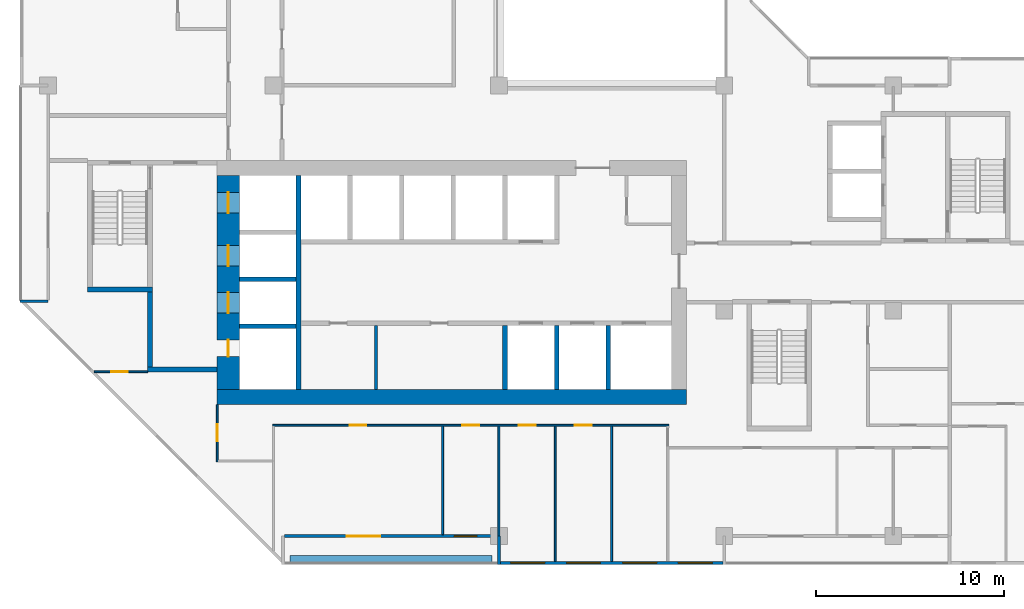
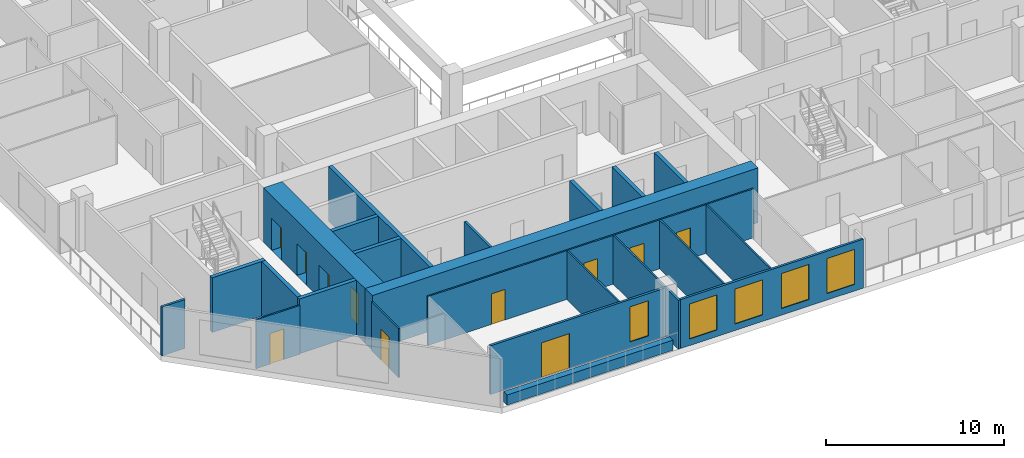
# One storey, part 4 of 14: 24 walls, 11 doors, 5 windows, 16 openings.
"""IFC4 building model written with IfcOpenShell, lengths in metres."""

from ifc_helpers import new_model, si_unit, direction, frame, frame_2d, origin, place, context, subcontext, project, spatial, rectangle, extrude, material, layer, layer_set, type_object, element, fill, save


model = new_model("IFC4")

# Units and contexts
model_context = context("Model", 3, precision=1e-05, world=origin(), true_north=direction((0.0, 1.0)))
body_context = subcontext(model_context, "Body", "Model", "MODEL_VIEW")
ifc_project = project(units=[si_unit("LENGTHUNIT", "METRE"), si_unit("AREAUNIT", "SQUARE_METRE"), si_unit("VOLUMEUNIT", "CUBIC_METRE"), si_unit("PLANEANGLEUNIT", "RADIAN"), si_unit("MASSUNIT", "GRAM", prefix="KILO")], contexts=[model_context])

# Site, building, storey
site_placement = place(None, origin())
site = spatial("IfcSite", under=ifc_project, at=site_placement, CompositionType="ELEMENT")
building_placement = place(site_placement, origin())
building = spatial("IfcBuilding", under=site, at=building_placement, Name="Chenar Terraces", CompositionType="ELEMENT")
storey_placement = place(building_placement, frame((0.0, 0.0, 183.64990234375)))
storey = spatial("IfcBuildingStorey", under=building, at=storey_placement, Name="L42", CompositionType="ELEMENT", Elevation=183.64990234375)

# Wall
ifc_material_1 = material(Name="Gypsum board on steel studs", Category="steel")
ifc_layer_1 = layer(ifc_material_1, 0.14990234375)
ifc_layer_set_1 = layer_set([ifc_layer_1], Name="Gypsum board on steel studs")
wall_type_1 = type_object("IfcWallType", Name="Core partition 150 gypsum board", PredefinedType="PARTITIONING", material=ifc_layer_set_1)
wall_1_placement = place(storey_placement, frame((17.449951171875, 7.800048828125, 0.0), z_axis=(0.0, 0.0, 1.0), x_axis=(0.0, 1.0, 0.0)))
element("IfcWall", 1, at=wall_1_placement, inside=storey, type_object=wall_type_1, Name="Core partition CP1 freed bay wall", PredefinedType="PARTITIONING", context=body_context, shape_type="SweptSolid", body=[
    extrude(rectangle(XDim=3.39990234375, YDim=0.14990234375, at=frame_2d((1.699951171875, 0.0))), origin(), (0.0, 0.0, 1.0), 3.35009765625),
])

# Wall, openings, doors
ifc_material_2 = material(Name="Concrete C60/75", Category="concrete")
ifc_layer_2 = layer(ifc_material_2, 1.199951171875)
ifc_layer_set_2 = layer_set([ifc_layer_2], Name="Concrete C60/75")
wall_type_2 = type_object("IfcWallType", Name="Core wall 1200 Concrete C60/75", PredefinedType="SHEAR", material=ifc_layer_set_2)
wall_2_placement = place(storey_placement, frame((9.60009765625, 7.800048828125, 0.0), z_axis=(0.0, 0.0, 1.0), x_axis=(0.0, 1.0, 0.0)))
wall_2 = element("IfcWall", 2, at=wall_2_placement, inside=storey, type_object=wall_type_2, Name="Core wall W L42", PredefinedType="SHEAR", context=body_context, shape_type="SweptSolid", body=[
    extrude(rectangle(XDim=11.39990234375, YDim=1.199951171875, at=frame_2d((5.699951171875, 0.0))), origin(), (0.0, 0.0, 1.0), 3.75),
])
opening_1_placement = place(wall_2_placement, frame((4.074951171875, 0.0, 0.0)))
opening_1 = element("IfcOpeningElement", 3, at=opening_1_placement, cuts=wall_2, Name="Opening DL42-LD5", PredefinedType="OPENING", context=body_context, shape_type="SweptSolid", body=[
    extrude(rectangle(XDim=1.10009765625, YDim=2.199951171875, at=frame_2d((0.550048828125, 1.10009765625))), frame((0.0, 0.60986328125, 0.0), z_axis=(0.0, -1.0, 0.0), x_axis=(1.0, 0.0, 0.0)), (0.0, 0.0, 1.0), 1.219970703125),
])
opening_2_placement = place(wall_2_placement, frame((6.574951171875, 0.0, 0.0)))
opening_2 = element("IfcOpeningElement", 4, at=opening_2_placement, cuts=wall_2, Name="Opening DL42-LD6", PredefinedType="OPENING", context=body_context, shape_type="SweptSolid", body=[
    extrude(rectangle(XDim=1.10009765625, YDim=2.199951171875, at=frame_2d((0.550048828125, 1.10009765625))), frame((0.0, 0.60986328125, 0.0), z_axis=(0.0, -1.0, 0.0), x_axis=(1.0, 0.0, 0.0)), (0.0, 0.0, 1.0), 1.219970703125),
])
opening_3_placement = place(wall_2_placement, frame((9.39990234375, 0.0, 0.0)))
opening_3 = element("IfcOpeningElement", 5, at=opening_3_placement, cuts=wall_2, Name="Opening DL42-LD7", PredefinedType="OPENING", context=body_context, shape_type="SweptSolid", body=[
    extrude(rectangle(XDim=1.10009765625, YDim=2.199951171875, at=frame_2d((0.550048828125, 1.10009765625))), frame((0.0, 0.60986328125, 0.0), z_axis=(0.0, -1.0, 0.0), x_axis=(1.0, 0.0, 0.0)), (0.0, 0.0, 1.0), 1.219970703125),
])
opening_4_placement = place(wall_2_placement, frame((1.75, 0.0, 0.0)))
opening_4 = element("IfcOpeningElement", 6, at=opening_4_placement, cuts=wall_2, Name="Opening DL42-C4", PredefinedType="OPENING", context=body_context, shape_type="SweptSolid", body=[
    extrude(rectangle(XDim=0.89990234375, YDim=2.10009765625, at=frame_2d((0.449951171875, 1.050048828125))), frame((0.0, 0.60986328125, 0.0), z_axis=(0.0, -1.0, 0.0), x_axis=(1.0, 0.0, 0.0)), (0.0, 0.0, 1.0), 1.219970703125),
])
ifc_material_3 = material(Name="Stainless steel", Category="steel")
door_type_1 = type_object("IfcDoorType", Name="Lift landing door 1100 x 2200 sliding", OperationType="DOUBLE_DOOR_SLIDING", PredefinedType="DOOR", material=ifc_material_3)
door_1_placement = place(opening_1_placement, origin())
door_1 = element("IfcDoor", 7, at=door_1_placement, inside=storey, type_object=door_type_1, Name="Landing door S1", OperationType="DOUBLE_DOOR_SLIDING", OverallHeight=2.199951171875, OverallWidth=1.10009765625, PredefinedType="DOOR", context=body_context, shape_type="SweptSolid", body=[
    extrude(rectangle(XDim=1.10009765625, YDim=2.199951171875, at=frame_2d((0.550048828125, 1.10009765625))), frame((0.0, 0.02490234375, 0.0), z_axis=(0.0, -1.0, 0.0), x_axis=(1.0, 0.0, 0.0)), (0.0, 0.0, 1.0), 0.050048828125),
])
fill(opening_1, door_1)
door_2_placement = place(opening_2_placement, origin())
door_2 = element("IfcDoor", 8, at=door_2_placement, inside=storey, type_object=door_type_1, Name="Landing door F1", OperationType="DOUBLE_DOOR_SLIDING", OverallHeight=2.199951171875, OverallWidth=1.10009765625, PredefinedType="DOOR", context=body_context, shape_type="SweptSolid", body=[
    extrude(rectangle(XDim=1.10009765625, YDim=2.199951171875, at=frame_2d((0.550048828125, 1.10009765625))), frame((0.0, 0.02490234375, 0.0), z_axis=(0.0, -1.0, 0.0), x_axis=(1.0, 0.0, 0.0)), (0.0, 0.0, 1.0), 0.050048828125),
])
fill(opening_2, door_2)
door_3_placement = place(opening_3_placement, origin())
door_3 = element("IfcDoor", 9, at=door_3_placement, inside=storey, type_object=door_type_1, Name="Landing door F2", OperationType="DOUBLE_DOOR_SLIDING", OverallHeight=2.199951171875, OverallWidth=1.10009765625, PredefinedType="DOOR", context=body_context, shape_type="SweptSolid", body=[
    extrude(rectangle(XDim=1.10009765625, YDim=2.199951171875, at=frame_2d((0.550048828125, 1.10009765625))), frame((0.0, 0.02490234375, 0.0), z_axis=(0.0, -1.0, 0.0), x_axis=(1.0, 0.0, 0.0)), (0.0, 0.0, 1.0), 0.050048828125),
])
fill(opening_3, door_3)
ifc_material_4 = material(Name="Steel-framed fire-resisting door leaf", Category="steel")
door_type_2 = type_object("IfcDoorType", Name="Riser fire door FD60 900 x 2100", OperationType="SINGLE_SWING_LEFT", PredefinedType="DOOR", material=ifc_material_4)
door_4_placement = place(opening_4_placement, frame((0.89990234375, 0.0, 0.0), z_axis=(0.0, 0.0, 1.0), x_axis=(-1.0, 0.0, 0.0)))
door_4 = element("IfcDoor", 10, at=door_4_placement, inside=storey, type_object=door_type_2, Name="Riser door DL42-C4", OperationType="SINGLE_SWING_LEFT", OverallHeight=2.10009765625, OverallWidth=0.89990234375, PredefinedType="DOOR", context=body_context, shape_type="SweptSolid", body=[
    extrude(rectangle(XDim=0.89990234375, YDim=2.10009765625, at=frame_2d((0.449951171875, 1.050048828125))), frame((0.0, 0.02490234375, 0.0), z_axis=(0.0, -1.0, 0.0), x_axis=(1.0, 0.0, 0.0)), (0.0, 0.0, 1.0), 0.050048828125),
])
fill(opening_4, door_4)

# Walls
ifc_material_5 = material(Name="Concrete C60/75", Category="concrete")
ifc_layer_3 = layer(ifc_material_5, 0.25)
ifc_layer_set_3 = layer_set([ifc_layer_3], Name="Concrete C60/75")
wall_type_3 = type_object("IfcWallType", Name="Core wall 250 Concrete C60/75", PredefinedType="SHEAR", material=ifc_layer_set_3)
wall_3_placement = place(storey_placement, frame((13.324951171875, 7.800048828125, 0.0), z_axis=(0.0, 0.0, 1.0), x_axis=(0.0, 1.0, 0.0)))
element("IfcWall", 11, at=wall_3_placement, inside=storey, type_object=wall_type_3, Name="Core wall WI L42", PredefinedType="SHEAR", context=body_context, shape_type="SweptSolid", body=[
    extrude(rectangle(XDim=11.39990234375, YDim=0.25, at=frame_2d((5.699951171875, 0.0))), origin(), (0.0, 0.0, 1.0), 3.75),
])
for number, where, z_axis, x_axis, name in (
    (12, (10.199951171875, 11.175048828125, 0.0), (0.0, 0.0, 1.0), (1.0, 0.0, 0.0), "Core wall HW0 L42"),
    (13, (10.199951171875, 13.675048828125, 0.0), (0.0, 0.0, 1.0), (1.0, 0.0, 0.0), "Core wall HW1 L42"),
):
    element("IfcWall", number, at=place(storey_placement, frame(where, z_axis=z_axis, x_axis=x_axis)), inside=storey, type_object=wall_type_3, Name=name, PredefinedType="SHEAR", context=body_context, shape_type="SweptSolid", body=[
        extrude(rectangle(XDim=3.0, YDim=0.25, at=frame_2d((1.5, 0.0))), origin(), (0.0, 0.0, 1.0), 3.75),
    ])
for number, where, z_axis, x_axis, name in (
    (14, (24.324951171875, 7.800048828125, 0.0), (0.0, 0.0, 1.0), (0.0, 1.0, 0.0), "Core wall SS3 L42"),
    (15, (27.074951171875, 7.800048828125, 0.0), (0.0, 0.0, 1.0), (0.0, 1.0, 0.0), "Core wall SS4 L42"),
    (16, (29.824951171875, 7.800048828125, 0.0), (0.0, 0.0, 1.0), (0.0, 1.0, 0.0), "Core wall SS5 L42"),
):
    element("IfcWall", number, at=place(storey_placement, frame(where, z_axis=z_axis, x_axis=x_axis)), inside=storey, type_object=wall_type_3, Name=name, PredefinedType="SHEAR", context=body_context, shape_type="SweptSolid", body=[
        extrude(rectangle(XDim=3.39990234375, YDim=0.25, at=frame_2d((1.699951171875, 0.0))), origin(), (0.0, 0.0, 1.0), 3.75),
    ])
wall_4_placement = place(storey_placement, frame((2.10009765625, 13.125, 0.0), z_axis=(0.0, 0.0, 1.0), x_axis=(1.0, 0.0, 0.0)))
element("IfcWall", 17, at=wall_4_placement, inside=storey, type_object=wall_type_3, Name="Core wall ST1_S L42", PredefinedType="SHEAR", context=body_context, shape_type="SweptSolid", body=[
    extrude(rectangle(XDim=3.449951171875, YDim=0.25, at=frame_2d((1.72509765625, 0.0))), origin(), (0.0, 0.0, 1.0), 3.75),
])
wall_5_placement = place(storey_placement, frame((5.300048828125, 8.875, 0.0), z_axis=(0.0, 0.0, 1.0), x_axis=(1.0, 0.0, 0.0)))
element("IfcWall", 18, at=wall_5_placement, inside=storey, type_object=wall_type_3, Name="Core wall FFL_S L42", PredefinedType="SHEAR", context=body_context, shape_type="SweptSolid", body=[
    extrude(rectangle(XDim=3.699951171875, YDim=0.25, at=frame_2d((1.85009765625, 0.0))), origin(), (0.0, 0.0, 1.0), 3.75),
])
wall_6_placement = place(storey_placement, frame((5.425048828125, 9.0, 0.0), z_axis=(0.0, 0.0, 1.0), x_axis=(0.0, 1.0, 0.0)))
element("IfcWall", 19, at=wall_6_placement, inside=storey, type_object=wall_type_3, Name="Core wall FFL_W L42", PredefinedType="SHEAR", context=body_context, shape_type="SweptSolid", body=[
    extrude(rectangle(XDim=4.0, YDim=0.25, at=frame_2d((2.0, 0.0))), origin(), (0.0, 0.0, 1.0), 3.75),
])
ifc_material_6 = material(Name="Concrete C60/75", Category="concrete")
ifc_layer_4 = layer(ifc_material_6, 0.800048828125)
ifc_layer_set_4 = layer_set([ifc_layer_4], Name="Concrete C60/75")
wall_type_4 = type_object("IfcWallType", Name="Core wall 800 Concrete C60/75", PredefinedType="SHEAR", material=ifc_layer_set_4)
wall_7_placement = place(storey_placement, frame((9.0, 7.39990234375, 0.0), z_axis=(0.0, 0.0, 1.0), x_axis=(1.0, 0.0, 0.0)))
element("IfcWall", 20, at=wall_7_placement, inside=storey, type_object=wall_type_4, Name="Core wall S L42", PredefinedType="SHEAR", context=body_context, shape_type="SweptSolid", body=[
    extrude(rectangle(XDim=25.0, YDim=0.800048828125, at=frame_2d((12.5, 0.0))), origin(), (0.0, 0.0, 1.0), 3.75),
])

# Wall, openings, windows
ifc_material_7 = material(Name="Aluminium framed glazing", Category="aluminium")
ifc_layer_5 = layer(ifc_material_7, 0.14990234375)
ifc_layer_set_5 = layer_set([ifc_layer_5], Name="Aluminium framed glazing")
wall_type_5 = type_object("IfcWallType", Name="Glazed flush facade wall 150", PredefinedType="SOLIDWALL", material=ifc_layer_set_5)
wall_8_placement = place(storey_placement, frame((24.074951171875, -1.425048828125, 0.0), z_axis=(0.0, 0.0, 1.0), x_axis=(1.0, 0.0, 0.0)))
wall_8 = element("IfcWall", 21, at=wall_8_placement, inside=storey, type_object=wall_type_5, Name="Glazed flush facade wall", PredefinedType="SOLIDWALL", context=body_context, shape_type="SweptSolid", body=[
    extrude(rectangle(XDim=11.85009765625, YDim=0.14990234375, at=frame_2d((5.925048828125, 0.0))), origin(), (0.0, 0.0, 1.0), 3.35009765625),
])
opening_5_placement = place(wall_8_placement, frame((0.5625, 0.0, 0.449951171875)))
opening_5 = element("IfcOpeningElement", 22, at=opening_5_placement, cuts=wall_8, Name="Opening W180x240", PredefinedType="OPENING", context=body_context, shape_type="SweptSolid", body=[
    extrude(rectangle(XDim=1.800048828125, YDim=2.39990234375, at=frame_2d((0.89990234375, 1.199951171875))), frame((0.0, 0.0849609375, 0.0), z_axis=(0.0, -1.0, 0.0), x_axis=(1.0, 0.0, 0.0)), (0.0, 0.0, 1.0), 0.169921875),
])
opening_6_placement = place(wall_8_placement, frame((3.52490234375, 0.0, 0.449951171875)))
opening_6 = element("IfcOpeningElement", 23, at=opening_6_placement, cuts=wall_8, Name="Opening W180x240", PredefinedType="OPENING", context=body_context, shape_type="SweptSolid", body=[
    extrude(rectangle(XDim=1.800048828125, YDim=2.39990234375, at=frame_2d((0.89990234375, 1.199951171875))), frame((0.0, 0.0849609375, 0.0), z_axis=(0.0, -1.0, 0.0), x_axis=(1.0, 0.0, 0.0)), (0.0, 0.0, 1.0), 0.169921875),
])
opening_7_placement = place(wall_8_placement, frame((6.52490234375, 0.0, 0.449951171875)))
opening_7 = element("IfcOpeningElement", 24, at=opening_7_placement, cuts=wall_8, Name="Opening W180x240", PredefinedType="OPENING", context=body_context, shape_type="SweptSolid", body=[
    extrude(rectangle(XDim=1.800048828125, YDim=2.39990234375, at=frame_2d((0.89990234375, 1.199951171875))), frame((0.0, 0.0849609375, 0.0), z_axis=(0.0, -1.0, 0.0), x_axis=(1.0, 0.0, 0.0)), (0.0, 0.0, 1.0), 0.169921875),
])
opening_8_placement = place(wall_8_placement, frame((9.487548828125, 0.0, 0.449951171875)))
opening_8 = element("IfcOpeningElement", 25, at=opening_8_placement, cuts=wall_8, Name="Opening W180x240", PredefinedType="OPENING", context=body_context, shape_type="SweptSolid", body=[
    extrude(rectangle(XDim=1.800048828125, YDim=2.39990234375, at=frame_2d((0.89990234375, 1.199951171875))), frame((0.0, 0.0849609375, 0.0), z_axis=(0.0, -1.0, 0.0), x_axis=(1.0, 0.0, 0.0)), (0.0, 0.0, 1.0), 0.169921875),
])
ifc_material_8 = material(Name="Low emissivity double glazing, aluminium frame", Category="aluminium")
window_type_1 = type_object("IfcWindowType", Name="Fixed light 1800 x 2400", PartitioningType="SINGLE_PANEL", PredefinedType="WINDOW", material=ifc_material_8)
window_1_placement = place(opening_5_placement, origin())
window_1 = element("IfcWindow", 26, at=window_1_placement, inside=storey, type_object=window_type_1, Name="Window", OverallHeight=2.39990234375, OverallWidth=1.800048828125, PartitioningType="SINGLE_PANEL", PredefinedType="WINDOW", context=body_context, shape_type="SweptSolid", body=[
    extrude(rectangle(XDim=1.800048828125, YDim=2.39990234375, at=frame_2d((0.89990234375, 1.199951171875))), frame((0.0, 0.030029296875, 0.0), z_axis=(0.0, -1.0, 0.0), x_axis=(1.0, 0.0, 0.0)), (0.0, 0.0, 1.0), 0.06005859375),
])
fill(opening_5, window_1)
window_2_placement = place(opening_6_placement, origin())
window_2 = element("IfcWindow", 27, at=window_2_placement, inside=storey, type_object=window_type_1, Name="Window", OverallHeight=2.39990234375, OverallWidth=1.800048828125, PartitioningType="SINGLE_PANEL", PredefinedType="WINDOW", context=body_context, shape_type="SweptSolid", body=[
    extrude(rectangle(XDim=1.800048828125, YDim=2.39990234375, at=frame_2d((0.89990234375, 1.199951171875))), frame((0.0, 0.030029296875, 0.0), z_axis=(0.0, -1.0, 0.0), x_axis=(1.0, 0.0, 0.0)), (0.0, 0.0, 1.0), 0.06005859375),
])
fill(opening_6, window_2)
window_3_placement = place(opening_7_placement, origin())
window_3 = element("IfcWindow", 28, at=window_3_placement, inside=storey, type_object=window_type_1, Name="Window", OverallHeight=2.39990234375, OverallWidth=1.800048828125, PartitioningType="SINGLE_PANEL", PredefinedType="WINDOW", context=body_context, shape_type="SweptSolid", body=[
    extrude(rectangle(XDim=1.800048828125, YDim=2.39990234375, at=frame_2d((0.89990234375, 1.199951171875))), frame((0.0, 0.030029296875, 0.0), z_axis=(0.0, -1.0, 0.0), x_axis=(1.0, 0.0, 0.0)), (0.0, 0.0, 1.0), 0.06005859375),
])
fill(opening_7, window_3)
window_4_placement = place(opening_8_placement, origin())
window_4 = element("IfcWindow", 29, at=window_4_placement, inside=storey, type_object=window_type_1, Name="Window", OverallHeight=2.39990234375, OverallWidth=1.800048828125, PartitioningType="SINGLE_PANEL", PredefinedType="WINDOW", context=body_context, shape_type="SweptSolid", body=[
    extrude(rectangle(XDim=1.800048828125, YDim=2.39990234375, at=frame_2d((0.89990234375, 1.199951171875))), frame((0.0, 0.030029296875, 0.0), z_axis=(0.0, -1.0, 0.0), x_axis=(1.0, 0.0, 0.0)), (0.0, 0.0, 1.0), 0.06005859375),
])
fill(opening_8, window_4)

# Wall, openings, window, door
ifc_material_9 = material(Name="Aluminium framed glazing", Category="aluminium")
ifc_layer_6 = layer(ifc_material_9, 0.14990234375)
ifc_layer_set_6 = layer_set([ifc_layer_6], Name="Aluminium framed glazing")
wall_type_6 = type_object("IfcWallType", Name="Glazed loggia back wall 150", PredefinedType="SOLIDWALL", material=ifc_layer_set_6)
wall_9_placement = place(storey_placement, frame((12.574951171875, 0.0, 0.0), z_axis=(0.0, 0.0, 1.0), x_axis=(1.0, 0.0, 0.0)))
wall_9 = element("IfcWall", 30, at=wall_9_placement, inside=storey, type_object=wall_type_6, Name="Glazed loggia back wall", PredefinedType="SOLIDWALL", context=body_context, shape_type="SweptSolid", body=[
    extrude(rectangle(XDim=11.35009765625, YDim=0.14990234375, at=frame_2d((5.675048828125, 0.0))), origin(), (0.0, 0.0, 1.0), 3.35009765625),
])
opening_9_placement = place(wall_9_placement, frame((3.3125, 0.0, 0.0)))
opening_9 = element("IfcOpeningElement", 31, at=opening_9_placement, cuts=wall_9, Name="Opening DL42-G5", PredefinedType="OPENING", context=body_context, shape_type="SweptSolid", body=[
    extrude(rectangle(XDim=1.800048828125, YDim=2.39990234375, at=frame_2d((0.89990234375, 1.199951171875))), frame((0.0, 0.0849609375, 0.0), z_axis=(0.0, -1.0, 0.0), x_axis=(1.0, 0.0, 0.0)), (0.0, 0.0, 1.0), 0.169921875),
])
opening_10_placement = place(wall_9_placement, frame((9.050048828125, 0.0, 0.449951171875)))
opening_10 = element("IfcOpeningElement", 32, at=opening_10_placement, cuts=wall_9, Name="Opening W120x240", PredefinedType="OPENING", context=body_context, shape_type="SweptSolid", body=[
    extrude(rectangle(XDim=1.199951171875, YDim=2.39990234375, at=frame_2d((0.60009765625, 1.199951171875))), frame((0.0, 0.0849609375, 0.0), z_axis=(0.0, -1.0, 0.0), x_axis=(1.0, 0.0, 0.0)), (0.0, 0.0, 1.0), 0.169921875),
])
ifc_material_10 = material(Name="Low emissivity double glazing, aluminium frame", Category="aluminium")
window_type_2 = type_object("IfcWindowType", Name="Fixed light 1200 x 2400", PartitioningType="SINGLE_PANEL", PredefinedType="WINDOW", material=ifc_material_10)
window_5_placement = place(opening_10_placement, origin())
window_5 = element("IfcWindow", 33, at=window_5_placement, inside=storey, type_object=window_type_2, Name="Window", OverallHeight=2.39990234375, OverallWidth=1.199951171875, PartitioningType="SINGLE_PANEL", PredefinedType="WINDOW", context=body_context, shape_type="SweptSolid", body=[
    extrude(rectangle(XDim=1.199951171875, YDim=2.39990234375, at=frame_2d((0.60009765625, 1.199951171875))), frame((0.0, 0.030029296875, 0.0), z_axis=(0.0, -1.0, 0.0), x_axis=(1.0, 0.0, 0.0)), (0.0, 0.0, 1.0), 0.06005859375),
])
fill(opening_10, window_5)
ifc_material_11 = material(Name="Low emissivity double glazing, aluminium frame", Category="aluminium")
door_type_3 = type_object("IfcDoorType", Name="Loggia glazed double door 1800 x 2400", OperationType="DOUBLE_DOOR_SINGLE_SWING", PredefinedType="DOOR", material=ifc_material_11)
door_5_placement = place(opening_9_placement, frame((1.800048828125, 0.0, 0.0), z_axis=(0.0, 0.0, 1.0), x_axis=(-1.0, 0.0, 0.0)))
door_5 = element("IfcDoor", 34, at=door_5_placement, inside=storey, type_object=door_type_3, Name="Loggia glazed door", OperationType="DOUBLE_DOOR_SINGLE_SWING", OverallHeight=2.39990234375, OverallWidth=1.800048828125, PredefinedType="DOOR", context=body_context, shape_type="SweptSolid", body=[
    extrude(rectangle(XDim=1.800048828125, YDim=2.39990234375, at=frame_2d((0.89990234375, 1.199951171875))), frame((0.0, 0.02490234375, 0.0), z_axis=(0.0, -1.0, 0.0), x_axis=(1.0, 0.0, 0.0)), (0.0, 0.0, 1.0), 0.050048828125),
])
fill(opening_9, door_5)

# Wall, opening, door
ifc_material_12 = material(Name="Gypsum board on steel studs", Category="steel")
ifc_layer_7 = layer(ifc_material_12, 0.10009765625)
ifc_layer_set_7 = layer_set([ifc_layer_7], Name="Gypsum board on steel studs")
wall_type_7 = type_object("IfcWallType", Name="Gypsum partition 100", PredefinedType="PARTITIONING", material=ifc_layer_set_7)
wall_10_placement = place(storey_placement, frame((2.4609375, 8.75, 0.0), z_axis=(0.0, 0.0, 1.0), x_axis=(1.0, 0.0, 0.0)))
wall_10 = element("IfcWall", 35, at=wall_10_placement, inside=storey, type_object=wall_type_7, Name="Partition L42-012", PredefinedType="PARTITIONING", context=body_context, shape_type="SweptSolid", body=[
    extrude(rectangle(XDim=2.839111328125, YDim=0.10009765625, at=frame_2d((1.41943359375, 0.0))), origin(), (0.0, 0.0, 1.0), 3.35009765625),
])
opening_11_placement = place(wall_10_placement, frame((0.888916015625, 0.0, 0.0)))
opening_11 = element("IfcOpeningElement", 36, at=opening_11_placement, cuts=wall_10, Name="Opening DL42-48", PredefinedType="OPENING", context=body_context, shape_type="SweptSolid", body=[
    extrude(rectangle(XDim=0.89990234375, YDim=2.10009765625, at=frame_2d((0.449951171875, 1.050048828125))), frame((0.0, 0.06005859375, 0.0), z_axis=(0.0, -1.0, 0.0), x_axis=(1.0, 0.0, 0.0)), (0.0, 0.0, 1.0), 0.1201171875),
])
ifc_material_13 = material(Name="Veneered timber door leaf", Category="wood")
door_type_4 = type_object("IfcDoorType", Name="Door 900 x 2100", OperationType="SINGLE_SWING_LEFT", PredefinedType="DOOR", material=ifc_material_13)
door_6_placement = place(opening_11_placement, frame((0.89990234375, 0.0, 0.0), z_axis=(0.0, 0.0, 1.0), x_axis=(-1.0, 0.0, 0.0)))
door_6 = element("IfcDoor", 37, at=door_6_placement, inside=storey, type_object=door_type_4, Name="Door DL42-48", OperationType="SINGLE_SWING_RIGHT", OverallHeight=2.10009765625, OverallWidth=0.89990234375, PredefinedType="DOOR", context=body_context, shape_type="SweptSolid", body=[
    extrude(rectangle(XDim=0.89990234375, YDim=2.10009765625, at=frame_2d((0.449951171875, 1.050048828125))), frame((0.0, 0.02490234375, 0.0), z_axis=(0.0, -1.0, 0.0), x_axis=(1.0, 0.0, 0.0)), (0.0, 0.0, 1.0), 0.050048828125),
])
fill(opening_11, door_6)

wall_11_placement = place(storey_placement, frame((9.0, 3.949951171875, 0.0), z_axis=(0.0, 0.0, 1.0), x_axis=(0.0, 1.0, 0.0)))
wall_11 = element("IfcWall", 38, at=wall_11_placement, inside=storey, type_object=wall_type_7, Name="Partition L42-029", PredefinedType="PARTITIONING", context=body_context, shape_type="SweptSolid", body=[
    extrude(rectangle(XDim=3.050048828125, YDim=0.10009765625, at=frame_2d((1.52490234375, 0.0))), origin(), (0.0, 0.0, 1.0), 3.35009765625),
])
opening_12_placement = place(wall_11_placement, frame((1.10009765625, 0.0, 0.0)))
opening_12 = element("IfcOpeningElement", 39, at=opening_12_placement, cuts=wall_11, Name="Opening DL42-47", PredefinedType="OPENING", context=body_context, shape_type="SweptSolid", body=[
    extrude(rectangle(XDim=0.89990234375, YDim=2.10009765625, at=frame_2d((0.449951171875, 1.050048828125))), frame((0.0, 0.06005859375, 0.0), z_axis=(0.0, -1.0, 0.0), x_axis=(1.0, 0.0, 0.0)), (0.0, 0.0, 1.0), 0.1201171875),
])
door_7_placement = place(opening_12_placement, origin())
door_7 = element("IfcDoor", 40, at=door_7_placement, inside=storey, type_object=door_type_4, Name="Door DL42-47", OperationType="SINGLE_SWING_LEFT", OverallHeight=2.10009765625, OverallWidth=0.89990234375, PredefinedType="DOOR", context=body_context, shape_type="SweptSolid", body=[
    extrude(rectangle(XDim=0.89990234375, YDim=2.10009765625, at=frame_2d((0.449951171875, 1.050048828125))), frame((0.0, 0.02490234375, 0.0), z_axis=(0.0, -1.0, 0.0), x_axis=(1.0, 0.0, 0.0)), (0.0, 0.0, 1.0), 0.050048828125),
])
fill(opening_12, door_7)

# Wall, openings, doors
wall_12_placement = place(storey_placement, frame((11.949951171875, 5.89990234375, 0.0), z_axis=(0.0, 0.0, 1.0), x_axis=(1.0, 0.0, 0.0)))
wall_12 = element("IfcWall", 41, at=wall_12_placement, inside=storey, type_object=wall_type_7, Name="Partition L42-032", PredefinedType="PARTITIONING", context=body_context, shape_type="SweptSolid", body=[
    extrude(rectangle(XDim=21.10009765625, YDim=0.10009765625, at=frame_2d((10.550048828125, 0.0))), origin(), (0.0, 0.0, 1.0), 3.35009765625),
])
opening_13_placement = place(wall_12_placement, frame((10.10009765625, 0.0, 0.0)))
opening_13 = element("IfcOpeningElement", 42, at=opening_13_placement, cuts=wall_12, Name="Opening DL42-41", PredefinedType="OPENING", context=body_context, shape_type="SweptSolid", body=[
    extrude(rectangle(XDim=0.89990234375, YDim=2.10009765625, at=frame_2d((0.449951171875, 1.050048828125))), frame((0.0, 0.06005859375, 0.0), z_axis=(0.0, -1.0, 0.0), x_axis=(1.0, 0.0, 0.0)), (0.0, 0.0, 1.0), 0.1201171875),
])
opening_14_placement = place(wall_12_placement, frame((13.10009765625, 0.0, 0.0)))
opening_14 = element("IfcOpeningElement", 43, at=opening_14_placement, cuts=wall_12, Name="Opening DL42-42", PredefinedType="OPENING", context=body_context, shape_type="SweptSolid", body=[
    extrude(rectangle(XDim=0.89990234375, YDim=2.10009765625, at=frame_2d((0.449951171875, 1.050048828125))), frame((0.0, 0.06005859375, 0.0), z_axis=(0.0, -1.0, 0.0), x_axis=(1.0, 0.0, 0.0)), (0.0, 0.0, 1.0), 0.1201171875),
])
opening_15_placement = place(wall_12_placement, frame((16.10009765625, 0.0, 0.0)))
opening_15 = element("IfcOpeningElement", 44, at=opening_15_placement, cuts=wall_12, Name="Opening DL42-43", PredefinedType="OPENING", context=body_context, shape_type="SweptSolid", body=[
    extrude(rectangle(XDim=0.89990234375, YDim=2.10009765625, at=frame_2d((0.449951171875, 1.050048828125))), frame((0.0, 0.06005859375, 0.0), z_axis=(0.0, -1.0, 0.0), x_axis=(1.0, 0.0, 0.0)), (0.0, 0.0, 1.0), 0.1201171875),
])
opening_16_placement = place(wall_12_placement, frame((4.10009765625, 0.0, 0.0)))
opening_16 = element("IfcOpeningElement", 45, at=opening_16_placement, cuts=wall_12, Name="Opening DL42-51", PredefinedType="OPENING", context=body_context, shape_type="SweptSolid", body=[
    extrude(rectangle(XDim=0.89990234375, YDim=2.10009765625, at=frame_2d((0.449951171875, 1.050048828125))), frame((0.0, 0.06005859375, 0.0), z_axis=(0.0, -1.0, 0.0), x_axis=(1.0, 0.0, 0.0)), (0.0, 0.0, 1.0), 0.1201171875),
])
door_8_placement = place(opening_13_placement, frame((0.89990234375, 0.0, 0.0), z_axis=(0.0, 0.0, 1.0), x_axis=(-1.0, 0.0, 0.0)))
door_8 = element("IfcDoor", 46, at=door_8_placement, inside=storey, type_object=door_type_4, Name="Door DL42-41", OperationType="SINGLE_SWING_RIGHT", OverallHeight=2.10009765625, OverallWidth=0.89990234375, PredefinedType="DOOR", context=body_context, shape_type="SweptSolid", body=[
    extrude(rectangle(XDim=0.89990234375, YDim=2.10009765625, at=frame_2d((0.449951171875, 1.050048828125))), frame((0.0, 0.02490234375, 0.0), z_axis=(0.0, -1.0, 0.0), x_axis=(1.0, 0.0, 0.0)), (0.0, 0.0, 1.0), 0.050048828125),
])
fill(opening_13, door_8)
door_9_placement = place(opening_14_placement, frame((0.89990234375, 0.0, 0.0), z_axis=(0.0, 0.0, 1.0), x_axis=(-1.0, 0.0, 0.0)))
door_9 = element("IfcDoor", 47, at=door_9_placement, inside=storey, type_object=door_type_4, Name="Door DL42-42", OperationType="SINGLE_SWING_RIGHT", OverallHeight=2.10009765625, OverallWidth=0.89990234375, PredefinedType="DOOR", context=body_context, shape_type="SweptSolid", body=[
    extrude(rectangle(XDim=0.89990234375, YDim=2.10009765625, at=frame_2d((0.449951171875, 1.050048828125))), frame((0.0, 0.02490234375, 0.0), z_axis=(0.0, -1.0, 0.0), x_axis=(1.0, 0.0, 0.0)), (0.0, 0.0, 1.0), 0.050048828125),
])
fill(opening_14, door_9)
door_10_placement = place(opening_15_placement, frame((0.89990234375, 0.0, 0.0), z_axis=(0.0, 0.0, 1.0), x_axis=(-1.0, 0.0, 0.0)))
door_10 = element("IfcDoor", 48, at=door_10_placement, inside=storey, type_object=door_type_4, Name="Door DL42-43", OperationType="SINGLE_SWING_RIGHT", OverallHeight=2.10009765625, OverallWidth=0.89990234375, PredefinedType="DOOR", context=body_context, shape_type="SweptSolid", body=[
    extrude(rectangle(XDim=0.89990234375, YDim=2.10009765625, at=frame_2d((0.449951171875, 1.050048828125))), frame((0.0, 0.02490234375, 0.0), z_axis=(0.0, -1.0, 0.0), x_axis=(1.0, 0.0, 0.0)), (0.0, 0.0, 1.0), 0.050048828125),
])
fill(opening_15, door_10)
door_11_placement = place(opening_16_placement, frame((0.89990234375, 0.0, 0.0), z_axis=(0.0, 0.0, 1.0), x_axis=(-1.0, 0.0, 0.0)))
door_11 = element("IfcDoor", 49, at=door_11_placement, inside=storey, type_object=door_type_4, Name="Door DL42-51", OperationType="SINGLE_SWING_RIGHT", OverallHeight=2.10009765625, OverallWidth=0.89990234375, PredefinedType="DOOR", context=body_context, shape_type="SweptSolid", body=[
    extrude(rectangle(XDim=0.89990234375, YDim=2.10009765625, at=frame_2d((0.449951171875, 1.050048828125))), frame((0.0, 0.02490234375, 0.0), z_axis=(0.0, -1.0, 0.0), x_axis=(1.0, 0.0, 0.0)), (0.0, 0.0, 1.0), 0.050048828125),
])
fill(opening_16, door_11)

# Walls
wall_13_placement = place(storey_placement, frame((21.0, 0.073974609375, 0.0), z_axis=(0.0, 0.0, 1.0), x_axis=(0.0, 1.0, 0.0)))
element("IfcWall", 50, at=wall_13_placement, inside=storey, type_object=wall_type_7, Name="Partition L42-052", PredefinedType="PARTITIONING", context=body_context, shape_type="SweptSolid", body=[
    extrude(rectangle(XDim=5.776123046875, YDim=0.10009765625, at=frame_2d((2.88818359375, 0.0))), origin(), (0.0, 0.0, 1.0), 3.35009765625),
])
wall_14_placement = place(storey_placement, frame((24.0, 0.0, 0.0), z_axis=(0.0, 0.0, 1.0), x_axis=(0.0, 1.0, 0.0)))
element("IfcWall", 51, at=wall_14_placement, inside=storey, type_object=wall_type_7, Name="Partition L42-054", PredefinedType="PARTITIONING", context=body_context, shape_type="SweptSolid", body=[
    extrude(rectangle(XDim=5.85009765625, YDim=0.10009765625, at=frame_2d((2.925048828125, 0.0))), origin(), (0.0, 0.0, 1.0), 3.35009765625),
])
for number, where, z_axis, x_axis, name in (
    (52, (27.0, -1.35107421875, 0.0), (0.0, 0.0, 1.0), (0.0, 1.0, 0.0), "Partition L42-055"),
    (53, (30.0, -1.35107421875, 0.0), (0.0, 0.0, 1.0), (0.0, 1.0, 0.0), "Partition L42-056"),
):
    element("IfcWall", number, at=place(storey_placement, frame(where, z_axis=z_axis, x_axis=x_axis)), inside=storey, type_object=wall_type_7, Name=name, PredefinedType="PARTITIONING", context=body_context, shape_type="SweptSolid", body=[
        extrude(rectangle(XDim=7.201171875, YDim=0.10009765625, at=frame_2d((3.6005859375, 0.0))), origin(), (0.0, 0.0, 1.0), 3.35009765625),
    ])
ifc_material_14 = material(Name="Terracotta cladding on insulated backing", Category="masonry")
ifc_layer_8 = layer(ifc_material_14, 0.14990234375)
ifc_layer_set_8 = layer_set([ifc_layer_8], Name="Terracotta cladding on insulated backing")
wall_type_8 = type_object("IfcWallType", Name="Loggia return wall 150", PredefinedType="SOLIDWALL", material=ifc_layer_set_8)
for number, where, z_axis, x_axis, name in (
    (54, (-1.5, 12.5, 0.0), (0.0, 0.0, 1.0), (1.0, 0.0, 0.0), "Loggia return wall"),
    (55, (24.0, -1.5, 0.0), (0.0, 0.0, 1.0), (0.0, 1.0, 0.0), "Loggia return wall"),
):
    element("IfcWall", number, at=place(storey_placement, frame(where, z_axis=z_axis, x_axis=x_axis)), inside=storey, type_object=wall_type_8, Name=name, PredefinedType="SOLIDWALL", context=body_context, shape_type="SweptSolid", body=[
        extrude(rectangle(XDim=1.5, YDim=0.14990234375, at=frame_2d((0.75, 0.0))), origin(), (0.0, 0.0, 1.0), 3.35009765625),
    ])
ifc_material_15 = material(Name="GRP planter trough")
ifc_layer_9 = layer(ifc_material_15, 0.39990234375)
ifc_layer_set_9 = layer_set([ifc_layer_9], Name="GRP planter trough")
wall_type_9 = type_object("IfcWallType", Name="Vertical greenery planter 400", PredefinedType="SOLIDWALL", material=ifc_layer_set_9)
wall_15_placement = place(storey_placement, frame((12.875, -1.22900390625, 0.0), z_axis=(0.0, 0.0, 1.0), x_axis=(1.0, 0.0, 0.0)))
element("IfcWall", 56, at=wall_15_placement, inside=storey, type_object=wall_type_9, Name="Vertical greenery planter", PredefinedType="SOLIDWALL", context=body_context, shape_type="SweptSolid", body=[
    extrude(rectangle(XDim=10.75, YDim=0.39990234375, at=frame_2d((5.375, 0.0))), origin(), (0.0, 0.0, 1.0), 0.7001953125),
])

save(model, "model.ifc")
